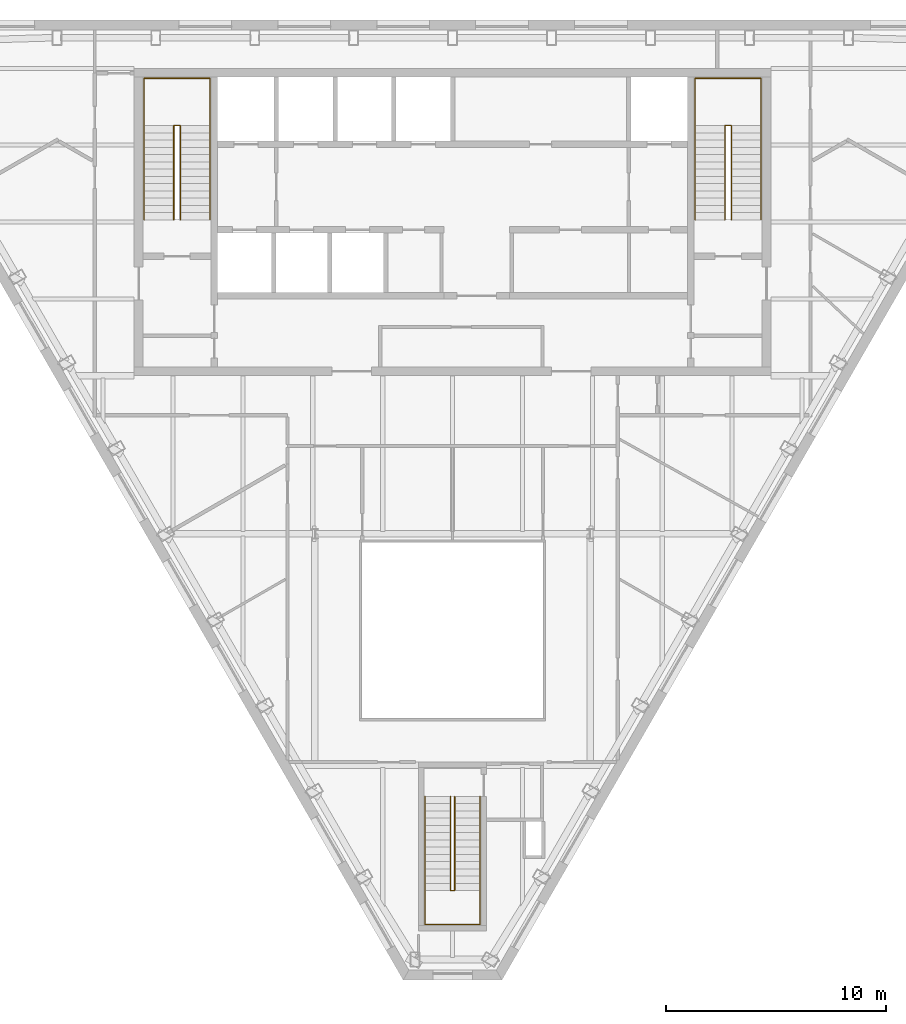
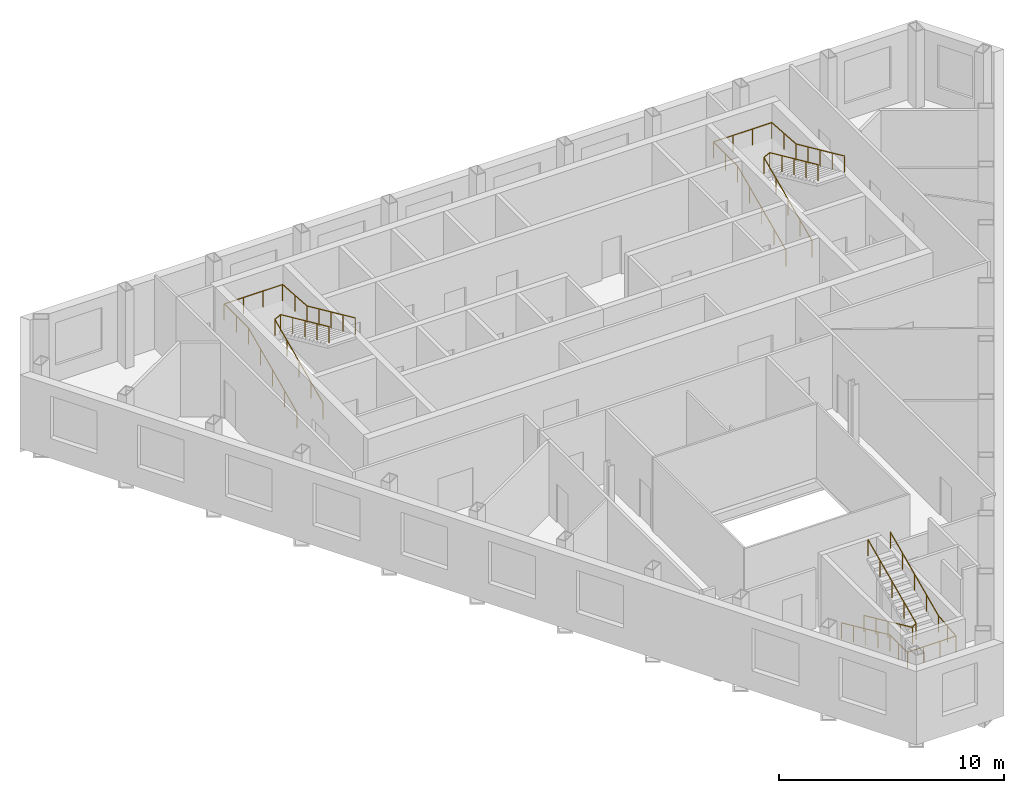
# One storey, part 11 of 11: 6 railings.
"""IFC4 building model written with IfcOpenShell, lengths in metres."""

from ifc_helpers import new_model, si_unit, direction, frame, origin, origin_2d, place, context, subcontext, project, spatial, circle, extrude, material, type_object, element, save


model = new_model("IFC4")

# Units and contexts
model_context = context("Model", 3, precision=1e-05, world=origin(), true_north=direction((0.0, 1.0)))
body_context = subcontext(model_context, "Body", "Model", "MODEL_VIEW")
ifc_project = project(units=[si_unit("LENGTHUNIT", "METRE"), si_unit("AREAUNIT", "SQUARE_METRE"), si_unit("VOLUMEUNIT", "CUBIC_METRE"), si_unit("PLANEANGLEUNIT", "RADIAN"), si_unit("MASSUNIT", "GRAM", prefix="KILO")], contexts=[model_context])

# Site, building, storey
site_placement = place(None, origin())
site = spatial("IfcSite", under=ifc_project, at=site_placement, CompositionType="ELEMENT")
building_placement = place(site_placement, origin())
building = spatial("IfcBuilding", under=site, at=building_placement, Name="Njiva Tower", CompositionType="ELEMENT")
storey_placement = place(building_placement, frame((0.0, 0.0, 312.6)))
storey = spatial("IfcBuildingStorey", under=building, at=storey_placement, Name="L71", CompositionType="ELEMENT", Elevation=312.6)

# Railings
ifc_material = material(Name="Stainless steel", Category="steel")
railing_type = type_object("IfcRailingType", Name="RL1 Stair handrail 900", PredefinedType="HANDRAIL", material=ifc_material)
railing_1_placement = place(storey_placement, frame((-14.05, 11.1, 0.15)))
element("IfcRailing", 1, at=railing_1_placement, inside=storey, type_object=railing_type, Name="Stair A handrail", PredefinedType="HANDRAIL", context=body_context, shape_type="SweptSolid", body=[
    extrude(circle(Radius=0.024, at=origin_2d()), frame((0.0, 0.0, 0.876), z_axis=(0.0, 0.910366477463, 0.413802944301), x_axis=(-1.0, 0.0, 0.0)), (0.0, 0.0, 1.0), 4.7124),
    extrude(circle(Radius=0.024, at=origin_2d()), frame((0.0, 4.29, 2.826), z_axis=(0.0, 1.0, 0.0), x_axis=(-1.0, 0.0, 0.0)), (0.0, 0.0, 1.0), 2.16),
    extrude(circle(Radius=0.024, at=origin_2d()), frame((0.0, 6.45, 2.826), z_axis=(1.0, 0.0, 0.0), x_axis=(0.0, 1.0, 0.0)), (0.0, 0.0, 1.0), 3.0),
    extrude(circle(Radius=0.024, at=origin_2d()), frame((3.0, 6.45, 2.826), z_axis=(0.0, -0.997597420968, 0.069277598678), x_axis=(1.0, 0.0, 0.0)), (0.0, 0.0, 1.0), 2.1652),
    extrude(circle(Radius=0.024, at=origin_2d()), frame((3.0, 4.29, 2.976), z_axis=(0.0, -0.910366477463, 0.413802944301), x_axis=(1.0, 0.0, 0.0)), (0.0, 0.0, 1.0), 4.7124),
    extrude(circle(Radius=0.021, at=origin_2d()), origin(), (0.0, 0.0, 1.0), 0.852),
    extrude(circle(Radius=0.021, at=origin_2d()), frame((0.0, 1.0725, 0.4875)), (0.0, 0.0, 1.0), 0.852),
    extrude(circle(Radius=0.021, at=origin_2d()), frame((0.0, 2.145, 0.975)), (0.0, 0.0, 1.0), 0.852),
    extrude(circle(Radius=0.021, at=origin_2d()), frame((0.0, 3.2175, 1.4625)), (0.0, 0.0, 1.0), 0.852),
    extrude(circle(Radius=0.021, at=origin_2d()), frame((0.0, 4.29, 1.95)), (0.0, 0.0, 1.0), 0.852),
    extrude(circle(Radius=0.021, at=origin_2d()), frame((0.0, 5.37, 1.95)), (0.0, 0.0, 1.0), 0.852),
    extrude(circle(Radius=0.021, at=origin_2d()), frame((0.0, 6.45, 1.95)), (0.0, 0.0, 1.0), 0.852),
    extrude(circle(Radius=0.021, at=origin_2d()), frame((1.0, 6.45, 1.95)), (0.0, 0.0, 1.0), 0.852),
    extrude(circle(Radius=0.021, at=origin_2d()), frame((2.0, 6.45, 1.95)), (0.0, 0.0, 1.0), 0.852),
    extrude(circle(Radius=0.021, at=origin_2d()), frame((3.0, 6.45, 1.95)), (0.0, 0.0, 1.0), 0.852),
    extrude(circle(Radius=0.021, at=origin_2d()), frame((3.0, 5.37, 2.025)), (0.0, 0.0, 1.0), 0.852),
    extrude(circle(Radius=0.021, at=origin_2d()), frame((3.0, 4.29, 2.1)), (0.0, 0.0, 1.0), 0.852),
    extrude(circle(Radius=0.021, at=origin_2d()), frame((3.0, 3.2175, 2.5875)), (0.0, 0.0, 1.0), 0.852),
    extrude(circle(Radius=0.021, at=origin_2d()), frame((3.0, 2.145, 3.075)), (0.0, 0.0, 1.0), 0.852),
    extrude(circle(Radius=0.021, at=origin_2d()), frame((3.0, 1.0725, 3.5625)), (0.0, 0.0, 1.0), 0.852),
    extrude(circle(Radius=0.021, at=origin_2d()), frame((3.0, 0.0, 4.05)), (0.0, 0.0, 1.0), 0.852),
])
railing_2_placement = place(storey_placement, frame((-12.7, 11.1, 0.15)))
element("IfcRailing", 2, at=railing_2_placement, inside=storey, type_object=railing_type, Name="Stair A handrail", PredefinedType="HANDRAIL", context=body_context, shape_type="SweptSolid", body=[
    extrude(circle(Radius=0.024, at=origin_2d()), frame((0.0, 0.0, 0.876), z_axis=(0.0, 0.910366477463, 0.413802944301), x_axis=(-1.0, 0.0, 0.0)), (0.0, 0.0, 1.0), 4.7124),
    extrude(circle(Radius=0.024, at=origin_2d()), frame((0.0, 4.29, 2.826), z_axis=(0.894427191, 0.0, 0.4472135955), x_axis=(0.0, 1.0, 0.0)), (0.0, 0.0, 1.0), 0.3354),
    extrude(circle(Radius=0.024, at=origin_2d()), frame((0.3, 4.29, 2.976), z_axis=(0.0, -0.910366477463, 0.413802944301), x_axis=(1.0, 0.0, 0.0)), (0.0, 0.0, 1.0), 4.7124),
    extrude(circle(Radius=0.021, at=origin_2d()), origin(), (0.0, 0.0, 1.0), 0.852),
    extrude(circle(Radius=0.021, at=origin_2d()), frame((0.0, 1.0725, 0.4875)), (0.0, 0.0, 1.0), 0.852),
    extrude(circle(Radius=0.021, at=origin_2d()), frame((0.0, 2.145, 0.975)), (0.0, 0.0, 1.0), 0.852),
    extrude(circle(Radius=0.021, at=origin_2d()), frame((0.0, 3.2175, 1.4625)), (0.0, 0.0, 1.0), 0.852),
    extrude(circle(Radius=0.021, at=origin_2d()), frame((0.0, 4.29, 1.95)), (0.0, 0.0, 1.0), 0.852),
    extrude(circle(Radius=0.021, at=origin_2d()), frame((0.3, 4.29, 2.1)), (0.0, 0.0, 1.0), 0.852),
    extrude(circle(Radius=0.021, at=origin_2d()), frame((0.3, 3.2175, 2.5875)), (0.0, 0.0, 1.0), 0.852),
    extrude(circle(Radius=0.021, at=origin_2d()), frame((0.3, 2.145, 3.075)), (0.0, 0.0, 1.0), 0.852),
    extrude(circle(Radius=0.021, at=origin_2d()), frame((0.3, 1.0725, 3.5625)), (0.0, 0.0, 1.0), 0.852),
    extrude(circle(Radius=0.021, at=origin_2d()), frame((0.3, 0.0, 4.05)), (0.0, 0.0, 1.0), 0.852),
])
railing_3_placement = place(storey_placement, frame((11.05, 11.1, 0.15)))
element("IfcRailing", 3, at=railing_3_placement, inside=storey, type_object=railing_type, Name="Stair B handrail", PredefinedType="HANDRAIL", context=body_context, shape_type="SweptSolid", body=[
    extrude(circle(Radius=0.024, at=origin_2d()), frame((0.0, 0.0, 0.876), z_axis=(0.0, 0.910366477463, 0.413802944301), x_axis=(-1.0, 0.0, 0.0)), (0.0, 0.0, 1.0), 4.7124),
    extrude(circle(Radius=0.024, at=origin_2d()), frame((0.0, 4.29, 2.826), z_axis=(0.0, 1.0, 0.0), x_axis=(-1.0, 0.0, 0.0)), (0.0, 0.0, 1.0), 2.16),
    extrude(circle(Radius=0.024, at=origin_2d()), frame((0.0, 6.45, 2.826), z_axis=(1.0, 0.0, 0.0), x_axis=(0.0, 1.0, 0.0)), (0.0, 0.0, 1.0), 3.0),
    extrude(circle(Radius=0.024, at=origin_2d()), frame((3.0, 6.45, 2.826), z_axis=(0.0, -0.997597420968, 0.069277598678), x_axis=(1.0, 0.0, 0.0)), (0.0, 0.0, 1.0), 2.1652),
    extrude(circle(Radius=0.024, at=origin_2d()), frame((3.0, 4.29, 2.976), z_axis=(0.0, -0.910366477463, 0.413802944301), x_axis=(1.0, 0.0, 0.0)), (0.0, 0.0, 1.0), 4.7124),
    extrude(circle(Radius=0.021, at=origin_2d()), origin(), (0.0, 0.0, 1.0), 0.852),
    extrude(circle(Radius=0.021, at=origin_2d()), frame((0.0, 1.0725, 0.4875)), (0.0, 0.0, 1.0), 0.852),
    extrude(circle(Radius=0.021, at=origin_2d()), frame((0.0, 2.145, 0.975)), (0.0, 0.0, 1.0), 0.852),
    extrude(circle(Radius=0.021, at=origin_2d()), frame((0.0, 3.2175, 1.4625)), (0.0, 0.0, 1.0), 0.852),
    extrude(circle(Radius=0.021, at=origin_2d()), frame((0.0, 4.29, 1.95)), (0.0, 0.0, 1.0), 0.852),
    extrude(circle(Radius=0.021, at=origin_2d()), frame((0.0, 5.37, 1.95)), (0.0, 0.0, 1.0), 0.852),
    extrude(circle(Radius=0.021, at=origin_2d()), frame((0.0, 6.45, 1.95)), (0.0, 0.0, 1.0), 0.852),
    extrude(circle(Radius=0.021, at=origin_2d()), frame((1.0, 6.45, 1.95)), (0.0, 0.0, 1.0), 0.852),
    extrude(circle(Radius=0.021, at=origin_2d()), frame((2.0, 6.45, 1.95)), (0.0, 0.0, 1.0), 0.852),
    extrude(circle(Radius=0.021, at=origin_2d()), frame((3.0, 6.45, 1.95)), (0.0, 0.0, 1.0), 0.852),
    extrude(circle(Radius=0.021, at=origin_2d()), frame((3.0, 5.37, 2.025)), (0.0, 0.0, 1.0), 0.852),
    extrude(circle(Radius=0.021, at=origin_2d()), frame((3.0, 4.29, 2.1)), (0.0, 0.0, 1.0), 0.852),
    extrude(circle(Radius=0.021, at=origin_2d()), frame((3.0, 3.2175, 2.5875)), (0.0, 0.0, 1.0), 0.852),
    extrude(circle(Radius=0.021, at=origin_2d()), frame((3.0, 2.145, 3.075)), (0.0, 0.0, 1.0), 0.852),
    extrude(circle(Radius=0.021, at=origin_2d()), frame((3.0, 1.0725, 3.5625)), (0.0, 0.0, 1.0), 0.852),
    extrude(circle(Radius=0.021, at=origin_2d()), frame((3.0, 0.0, 4.05)), (0.0, 0.0, 1.0), 0.852),
])
railing_4_placement = place(storey_placement, frame((12.4, 11.1, 0.15)))
element("IfcRailing", 4, at=railing_4_placement, inside=storey, type_object=railing_type, Name="Stair B handrail", PredefinedType="HANDRAIL", context=body_context, shape_type="SweptSolid", body=[
    extrude(circle(Radius=0.024, at=origin_2d()), frame((0.0, 0.0, 0.876), z_axis=(0.0, 0.910366477463, 0.413802944301), x_axis=(-1.0, 0.0, 0.0)), (0.0, 0.0, 1.0), 4.7124),
    extrude(circle(Radius=0.024, at=origin_2d()), frame((0.0, 4.29, 2.826), z_axis=(0.894427191, 0.0, 0.4472135955), x_axis=(0.0, 1.0, 0.0)), (0.0, 0.0, 1.0), 0.3354),
    extrude(circle(Radius=0.024, at=origin_2d()), frame((0.3, 4.29, 2.976), z_axis=(0.0, -0.910366477463, 0.413802944301), x_axis=(1.0, 0.0, 0.0)), (0.0, 0.0, 1.0), 4.7124),
    extrude(circle(Radius=0.021, at=origin_2d()), origin(), (0.0, 0.0, 1.0), 0.852),
    extrude(circle(Radius=0.021, at=origin_2d()), frame((0.0, 1.0725, 0.4875)), (0.0, 0.0, 1.0), 0.852),
    extrude(circle(Radius=0.021, at=origin_2d()), frame((0.0, 2.145, 0.975)), (0.0, 0.0, 1.0), 0.852),
    extrude(circle(Radius=0.021, at=origin_2d()), frame((0.0, 3.2175, 1.4625)), (0.0, 0.0, 1.0), 0.852),
    extrude(circle(Radius=0.021, at=origin_2d()), frame((0.0, 4.29, 1.95)), (0.0, 0.0, 1.0), 0.852),
    extrude(circle(Radius=0.021, at=origin_2d()), frame((0.3, 4.29, 2.1)), (0.0, 0.0, 1.0), 0.852),
    extrude(circle(Radius=0.021, at=origin_2d()), frame((0.3, 3.2175, 2.5875)), (0.0, 0.0, 1.0), 0.852),
    extrude(circle(Radius=0.021, at=origin_2d()), frame((0.3, 2.145, 3.075)), (0.0, 0.0, 1.0), 0.852),
    extrude(circle(Radius=0.021, at=origin_2d()), frame((0.3, 1.0725, 3.5625)), (0.0, 0.0, 1.0), 0.852),
    extrude(circle(Radius=0.021, at=origin_2d()), frame((0.3, 0.0, 4.05)), (0.0, 0.0, 1.0), 0.852),
])
railing_5_placement = place(storey_placement, frame((-1.25, -15.16, 0.15)))
element("IfcRailing", 5, at=railing_5_placement, inside=storey, type_object=railing_type, Name="Stair C handrail", PredefinedType="HANDRAIL", context=body_context, shape_type="SweptSolid", body=[
    extrude(circle(Radius=0.024, at=origin_2d()), frame((0.0, 0.0, 0.876), z_axis=(0.0, -0.910366477463, 0.413802944301), x_axis=(1.0, 0.0, 0.0)), (0.0, 0.0, 1.0), 4.7124),
    extrude(circle(Radius=0.024, at=origin_2d()), frame((0.0, -4.29, 2.826), z_axis=(0.0, -1.0, 0.0), x_axis=(1.0, 0.0, 0.0)), (0.0, 0.0, 1.0), 1.55),
    extrude(circle(Radius=0.024, at=origin_2d()), frame((0.0, -5.84, 2.826), z_axis=(1.0, 0.0, 0.0), x_axis=(0.0, 1.0, 0.0)), (0.0, 0.0, 1.0), 2.5),
    extrude(circle(Radius=0.024, at=origin_2d()), frame((2.5, -5.84, 2.826), z_axis=(0.0, 0.995350013555, 0.09632419486), x_axis=(-1.0, 0.0, 0.0)), (0.0, 0.0, 1.0), 1.5572),
    extrude(circle(Radius=0.024, at=origin_2d()), frame((2.5, -4.29, 2.976), z_axis=(0.0, 0.910366477463, 0.413802944301), x_axis=(-1.0, 0.0, 0.0)), (0.0, 0.0, 1.0), 4.7124),
    extrude(circle(Radius=0.021, at=origin_2d()), origin(), (0.0, 0.0, 1.0), 0.852),
    extrude(circle(Radius=0.021, at=origin_2d()), frame((0.0, -1.0725, 0.4875)), (0.0, 0.0, 1.0), 0.852),
    extrude(circle(Radius=0.021, at=origin_2d()), frame((0.0, -2.145, 0.975)), (0.0, 0.0, 1.0), 0.852),
    extrude(circle(Radius=0.021, at=origin_2d()), frame((0.0, -3.2175, 1.4625)), (0.0, 0.0, 1.0), 0.852),
    extrude(circle(Radius=0.021, at=origin_2d()), frame((0.0, -4.29, 1.95)), (0.0, 0.0, 1.0), 0.852),
    extrude(circle(Radius=0.021, at=origin_2d()), frame((0.0, -5.065, 1.95)), (0.0, 0.0, 1.0), 0.852),
    extrude(circle(Radius=0.021, at=origin_2d()), frame((0.0, -5.84, 1.95)), (0.0, 0.0, 1.0), 0.852),
    extrude(circle(Radius=0.021, at=origin_2d()), frame((0.8333, -5.84, 1.95)), (0.0, 0.0, 1.0), 0.852),
    extrude(circle(Radius=0.021, at=origin_2d()), frame((1.6667, -5.84, 1.95)), (0.0, 0.0, 1.0), 0.852),
    extrude(circle(Radius=0.021, at=origin_2d()), frame((2.5, -5.84, 1.95)), (0.0, 0.0, 1.0), 0.852),
    extrude(circle(Radius=0.021, at=origin_2d()), frame((2.5, -5.065, 2.025)), (0.0, 0.0, 1.0), 0.852),
    extrude(circle(Radius=0.021, at=origin_2d()), frame((2.5, -4.29, 2.1)), (0.0, 0.0, 1.0), 0.852),
    extrude(circle(Radius=0.021, at=origin_2d()), frame((2.5, -3.2175, 2.5875)), (0.0, 0.0, 1.0), 0.852),
    extrude(circle(Radius=0.021, at=origin_2d()), frame((2.5, -2.145, 3.075)), (0.0, 0.0, 1.0), 0.852),
    extrude(circle(Radius=0.021, at=origin_2d()), frame((2.5, -1.0725, 3.5625)), (0.0, 0.0, 1.0), 0.852),
    extrude(circle(Radius=0.021, at=origin_2d()), frame((2.5, 0.0, 4.05)), (0.0, 0.0, 1.0), 0.852),
])
railing_6_placement = place(storey_placement, frame((-0.1, -15.16, 0.15)))
element("IfcRailing", 6, at=railing_6_placement, inside=storey, type_object=railing_type, Name="Stair C handrail", PredefinedType="HANDRAIL", context=body_context, shape_type="SweptSolid", body=[
    extrude(circle(Radius=0.024, at=origin_2d()), frame((0.0, 0.0, 0.876), z_axis=(0.0, -0.910366477463, 0.413802944301), x_axis=(1.0, 0.0, 0.0)), (0.0, 0.0, 1.0), 4.7124),
    extrude(circle(Radius=0.024, at=origin_2d()), frame((0.0, -4.29, 2.826), z_axis=(0.8, 0.0, 0.6), x_axis=(0.0, 1.0, 0.0)), (0.0, 0.0, 1.0), 0.25),
    extrude(circle(Radius=0.024, at=origin_2d()), frame((0.2, -4.29, 2.976), z_axis=(0.0, 0.910366477463, 0.413802944301), x_axis=(-1.0, 0.0, 0.0)), (0.0, 0.0, 1.0), 4.7124),
    extrude(circle(Radius=0.021, at=origin_2d()), origin(), (0.0, 0.0, 1.0), 0.852),
    extrude(circle(Radius=0.021, at=origin_2d()), frame((0.0, -1.0725, 0.4875)), (0.0, 0.0, 1.0), 0.852),
    extrude(circle(Radius=0.021, at=origin_2d()), frame((0.0, -2.145, 0.975)), (0.0, 0.0, 1.0), 0.852),
    extrude(circle(Radius=0.021, at=origin_2d()), frame((0.0, -3.2175, 1.4625)), (0.0, 0.0, 1.0), 0.852),
    extrude(circle(Radius=0.021, at=origin_2d()), frame((0.0, -4.29, 1.95)), (0.0, 0.0, 1.0), 0.852),
    extrude(circle(Radius=0.021, at=origin_2d()), frame((0.2, -4.29, 2.1)), (0.0, 0.0, 1.0), 0.852),
    extrude(circle(Radius=0.021, at=origin_2d()), frame((0.2, -3.2175, 2.5875)), (0.0, 0.0, 1.0), 0.852),
    extrude(circle(Radius=0.021, at=origin_2d()), frame((0.2, -2.145, 3.075)), (0.0, 0.0, 1.0), 0.852),
    extrude(circle(Radius=0.021, at=origin_2d()), frame((0.2, -1.0725, 3.5625)), (0.0, 0.0, 1.0), 0.852),
    extrude(circle(Radius=0.021, at=origin_2d()), frame((0.2, 0.0, 4.05)), (0.0, 0.0, 1.0), 0.852),
])

save(model, "model.ifc")
